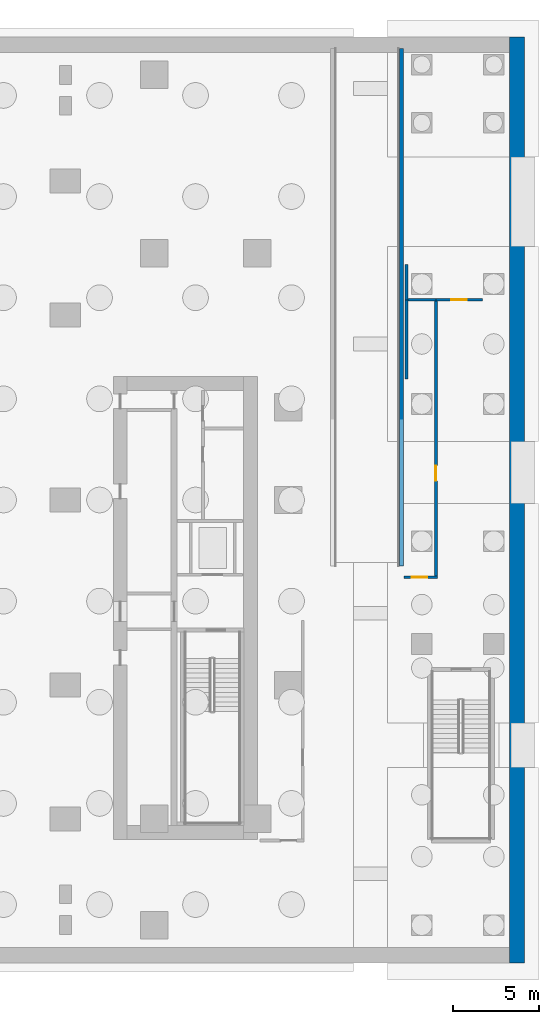
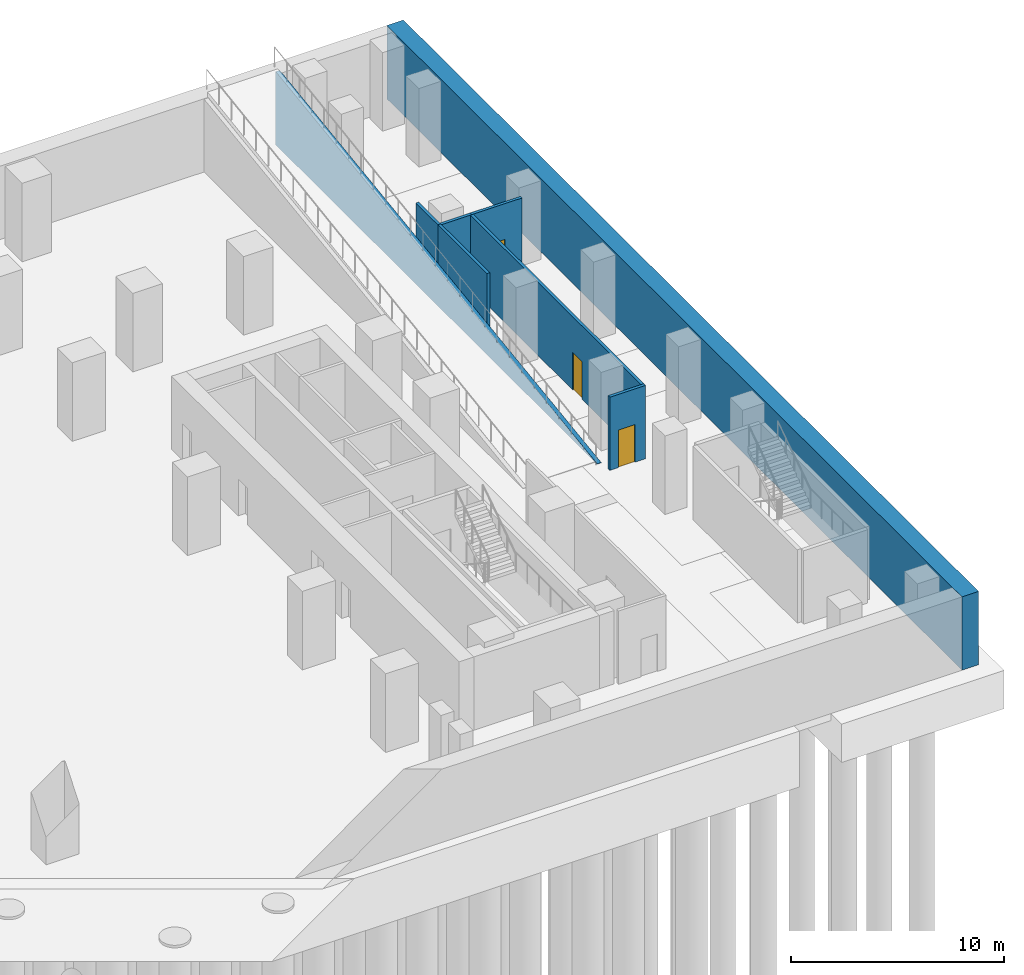
# One storey, part 7 of 15: 8 walls, 3 doors, 3 openings.
"""IFC4 building model written with IfcOpenShell, lengths in metres."""

from ifc_helpers import new_model, si_unit, direction, frame, frame_2d, origin, place, context, subcontext, project, spatial, polyline, rectangle, outline, extrude, material, layer, layer_set, type_object, element, fill, save


model = new_model("IFC4")

# Units and contexts
model_context = context("Model", 3, precision=1e-05, world=origin(), true_north=direction((0.0, 1.0)))
body_context = subcontext(model_context, "Body", "Model", "MODEL_VIEW")
ifc_project = project(units=[si_unit("LENGTHUNIT", "METRE"), si_unit("AREAUNIT", "SQUARE_METRE"), si_unit("VOLUMEUNIT", "CUBIC_METRE"), si_unit("PLANEANGLEUNIT", "RADIAN"), si_unit("MASSUNIT", "GRAM", prefix="KILO")], contexts=[model_context])

# Site, building, storey
site_placement = place(None, origin())
site = spatial("IfcSite", under=ifc_project, at=site_placement, CompositionType="ELEMENT")
building_placement = place(site_placement, origin())
building = spatial("IfcBuilding", under=site, at=building_placement, Name="Khairoan Windgate Tower", CompositionType="ELEMENT")
storey_placement = place(building_placement, frame((0.0, 0.0, -9.0)))
storey = spatial("IfcBuildingStorey", under=building, at=storey_placement, Name="B2", CompositionType="ELEMENT", Elevation=-9.0)

# Walls
ifc_material_1 = material(Name="Concrete C40/50", Category="concrete")
ifc_layer_1 = layer(ifc_material_1, 0.159912109375, Name="Concrete C40/50")
ifc_layer_set_1 = layer_set([ifc_layer_1], Name="Concrete C40/50")
wall_type_1 = type_object("IfcWallType", Name="Plant and Refuge Compartment Wall", PredefinedType="PARTITIONING", material=ifc_layer_set_1)
wall_1_placement = place(storey_placement, frame((29.10009765625, 11.679931640625, 0.0), z_axis=(0.0, 0.0, 1.0), x_axis=(0.0, 1.0, 0.0)))
element("IfcWall", 1, at=wall_1_placement, inside=storey, type_object=wall_type_1, Name="B2 Interior Partition 009", PredefinedType="PARTITIONING", context=body_context, shape_type="SweptSolid", body=[
    extrude(rectangle(XDim=2.06005859375, YDim=0.159912109375, at=frame_2d((1.030029296875, 0.0))), origin(), (0.0, 0.0, 1.0), 4.199951171875),
])
wall_2_placement = place(storey_placement, frame((29.10009765625, 7.06005859375, 0.0), z_axis=(0.0, 0.0, 1.0), x_axis=(0.0, 1.0, 0.0)))
element("IfcWall", 2, at=wall_2_placement, inside=storey, type_object=wall_type_1, Name="B2 Interior Partition 010", PredefinedType="PARTITIONING", context=body_context, shape_type="SweptSolid", body=[
    extrude(rectangle(XDim=4.619873046875, YDim=0.159912109375, at=frame_2d((2.31005859375, 0.0))), origin(), (0.0, 0.0, 1.0), 4.199951171875),
])

# Wall, opening, door
wall_3_placement = place(storey_placement, frame((28.9599609375, -4.5, 0.0), z_axis=(0.0, 0.0, 1.0), x_axis=(1.0, 0.0, 0.0)))
wall_3 = element("IfcWall", 3, at=wall_3_placement, inside=storey, type_object=wall_type_1, Name="B2 Interior Partition 015", PredefinedType="PARTITIONING", context=body_context, shape_type="SweptSolid", body=[
    extrude(rectangle(XDim=1.93994140625, YDim=0.159912109375, at=frame_2d((0.969970703125, 0.0))), origin(), (0.0, 0.0, 1.0), 4.199951171875),
])
opening_1_placement = place(wall_3_placement, frame((0.4599609375, 0.0, 0.0)))
opening_1 = element("IfcOpeningElement", 4, at=opening_1_placement, cuts=wall_3, Name="Opening FD-ENT", PredefinedType="OPENING", context=body_context, shape_type="SweptSolid", body=[
    extrude(rectangle(XDim=0.89990234375, YDim=2.14990234375, at=frame_2d((0.449951171875, 1.074951171875))), frame((0.0, 0.08984375, 0.0), z_axis=(0.0, -1.0, 0.0), x_axis=(1.0, 0.0, 0.0)), (0.0, 0.0, 1.0), 0.179931640625),
])
ifc_material_2 = material(Name="Timber Fire-Rated Core", Category="wood")
door_type = type_object("IfcDoorType", Name="Unit and Office Fire Entrance Door FD-ENT 900x2150", OperationType="NOTDEFINED", PredefinedType="DOOR", material=ifc_material_2)
door_1_placement = place(opening_1_placement, origin())
door_1 = element("IfcDoor", 5, at=door_1_placement, inside=storey, type_object=door_type, Name="B2 B2-45-B2-51 Door", OperationType="SINGLE_SWING_RIGHT", OverallHeight=2.14990234375, OverallWidth=0.89990234375, PredefinedType="DOOR", context=body_context, shape_type="SweptSolid", body=[
    extrude(rectangle(XDim=0.89990234375, YDim=2.14990234375, at=frame_2d((0.449951171875, 1.074951171875))), frame((0.0, 0.02490234375, 0.0), z_axis=(0.0, -1.0, 0.0), x_axis=(1.0, 0.0, 0.0)), (0.0, 0.0, 1.0), 0.050048828125),
])
fill(opening_1, door_1)

wall_4_placement = place(storey_placement, frame((30.820068359375, 11.679931640625, 0.0), z_axis=(0.0, 0.0, 1.0), x_axis=(1.0, 0.0, 0.0)))
wall_4 = element("IfcWall", 6, at=wall_4_placement, inside=storey, type_object=wall_type_1, Name="B2 Interior Partition 016", PredefinedType="PARTITIONING", context=body_context, shape_type="SweptSolid", body=[
    extrude(rectangle(XDim=2.719970703125, YDim=0.159912109375, at=frame_2d((1.35986328125, 0.0))), origin(), (0.0, 0.0, 1.0), 4.199951171875),
])
opening_2_placement = place(wall_4_placement, frame((0.909912109375, 0.0, 0.0)))
opening_2 = element("IfcOpeningElement", 7, at=opening_2_placement, cuts=wall_4, Name="Opening FD-ENT", PredefinedType="OPENING", context=body_context, shape_type="SweptSolid", body=[
    extrude(rectangle(XDim=0.89990234375, YDim=2.14990234375, at=frame_2d((0.449951171875, 1.074951171875))), frame((0.0, 0.08984375, 0.0), z_axis=(0.0, -1.0, 0.0), x_axis=(1.0, 0.0, 0.0)), (0.0, 0.0, 1.0), 0.179931640625),
])
door_2_placement = place(opening_2_placement, origin())
door_2 = element("IfcDoor", 8, at=door_2_placement, inside=storey, type_object=door_type, Name="B2 B2-49-B2-50 Door", OperationType="SINGLE_SWING_LEFT", OverallHeight=2.14990234375, OverallWidth=0.89990234375, PredefinedType="DOOR", context=body_context, shape_type="SweptSolid", body=[
    extrude(rectangle(XDim=0.89990234375, YDim=2.14990234375, at=frame_2d((0.449951171875, 1.074951171875))), frame((0.0, 0.02490234375, 0.0), z_axis=(0.0, -1.0, 0.0), x_axis=(1.0, 0.0, 0.0)), (0.0, 0.0, 1.0), 0.050048828125),
])
fill(opening_2, door_2)

wall_5_placement = place(storey_placement, frame((30.820068359375, -4.419921875, 0.0), z_axis=(0.0, 0.0, 1.0), x_axis=(0.0, 1.0, 0.0)))
wall_5 = element("IfcWall", 9, at=wall_5_placement, inside=storey, type_object=wall_type_1, Name="B2 Interior Partition 017", PredefinedType="PARTITIONING", context=body_context, shape_type="SweptSolid", body=[
    extrude(rectangle(XDim=16.02001953125, YDim=0.159912109375, at=frame_2d((8.010009765625, 0.0))), origin(), (0.0, 0.0, 1.0), 4.199951171875),
])
opening_3_placement = place(wall_5_placement, frame((5.531494140625, 0.0, 0.0)))
opening_3 = element("IfcOpeningElement", 10, at=opening_3_placement, cuts=wall_5, Name="Opening FD-ENT", PredefinedType="OPENING", context=body_context, shape_type="SweptSolid", body=[
    extrude(rectangle(XDim=0.89990234375, YDim=2.14990234375, at=frame_2d((0.449951171875, 1.074951171875))), frame((0.0, 0.08984375, 0.0), z_axis=(0.0, -1.0, 0.0), x_axis=(1.0, 0.0, 0.0)), (0.0, 0.0, 1.0), 0.179931640625),
])
door_3_placement = place(opening_3_placement, origin())
door_3 = element("IfcDoor", 11, at=door_3_placement, inside=storey, type_object=door_type, Name="B2 B2-49-B2-51 Door", OperationType="SINGLE_SWING_RIGHT", OverallHeight=2.14990234375, OverallWidth=0.89990234375, PredefinedType="DOOR", context=body_context, shape_type="SweptSolid", body=[
    extrude(rectangle(XDim=0.89990234375, YDim=2.14990234375, at=frame_2d((0.449951171875, 1.074951171875))), frame((0.0, 0.02490234375, 0.0), z_axis=(0.0, -1.0, 0.0), x_axis=(1.0, 0.0, 0.0)), (0.0, 0.0, 1.0), 0.050048828125),
])
fill(opening_3, door_3)

# Walls
wall_6_placement = place(storey_placement, frame((29.179931640625, 11.679931640625, 0.0), z_axis=(0.0, 0.0, 1.0), x_axis=(1.0, 0.0, 0.0)))
element("IfcWall", 12, at=wall_6_placement, inside=storey, type_object=wall_type_1, Name="B2 Interior Partition 018", PredefinedType="PARTITIONING", context=body_context, shape_type="SweptSolid", body=[
    extrude(rectangle(XDim=1.64013671875, YDim=0.159912109375, at=frame_2d((0.820068359375, 0.0))), origin(), (0.0, 0.0, 1.0), 4.199951171875),
])
ifc_material_3 = material(Name="Concrete C50/60", Category="concrete")
ifc_layer_2 = layer(ifc_material_3, 0.89990234375, Name="Concrete C50/60")
ifc_layer_set_2 = layer_set([ifc_layer_2], Name="Concrete C50/60")
wall_type_2 = type_object("IfcWallType", Name="Shear Wall DW-B1 900mm", PredefinedType="SHEAR", material=ifc_layer_set_2)
wall_7_placement = place(storey_placement, frame((35.550048828125, -27.0, 0.0), z_axis=(0.0, 0.0, 1.0), x_axis=(0.0, 1.0, 0.0)))
element("IfcWall", 13, at=wall_7_placement, inside=storey, type_object=wall_type_2, Name="East Diaphragm Wall B2", PredefinedType="SHEAR", context=body_context, shape_type="SweptSolid", body=[
    extrude(rectangle(XDim=54.0, YDim=0.89990234375, at=frame_2d((27.0, 0.0))), origin(), (0.0, 0.0, 1.0), 4.199951171875),
])
ifc_material_4 = material(Name="Concrete C50/60", Category="concrete")
ifc_layer_3 = layer(ifc_material_4, 0.219970703125, Name="Concrete C50/60")
ifc_layer_set_3 = layer_set([ifc_layer_3], Name="Concrete C50/60")
wall_type_3 = type_object("IfcWallType", Name="Shear Wall SW-ST 220mm", PredefinedType="SHEAR", material=ifc_layer_set_3)
wall_8_placement = place(storey_placement, frame((28.81005859375, -3.840087890625, 0.0), z_axis=(0.0, 0.0, 1.0), x_axis=(0.0, 1.0, 0.0)))
element("IfcWall", 14, at=wall_8_placement, inside=storey, type_object=wall_type_3, Name="Car Park Vehicular Ramp R2 (B1 to B2) Structural Support Wall (E)", PredefinedType="SHEAR", context=body_context, shape_type="SweptSolid", body=[
    extrude(outline(polyline([(0.0, 0.0), (30.18017578125, 0.0), (30.179931640625, 4.199951171875), (0.0, 0.02001953125), (0.0, 0.0)])), frame((0.0, 0.10986328125, 0.0), z_axis=(0.0, -1.0, 0.0), x_axis=(1.0, 0.0, 0.0)), (0.0, 0.0, 1.0), 0.219970703125),
])

save(model, "model.ifc")
